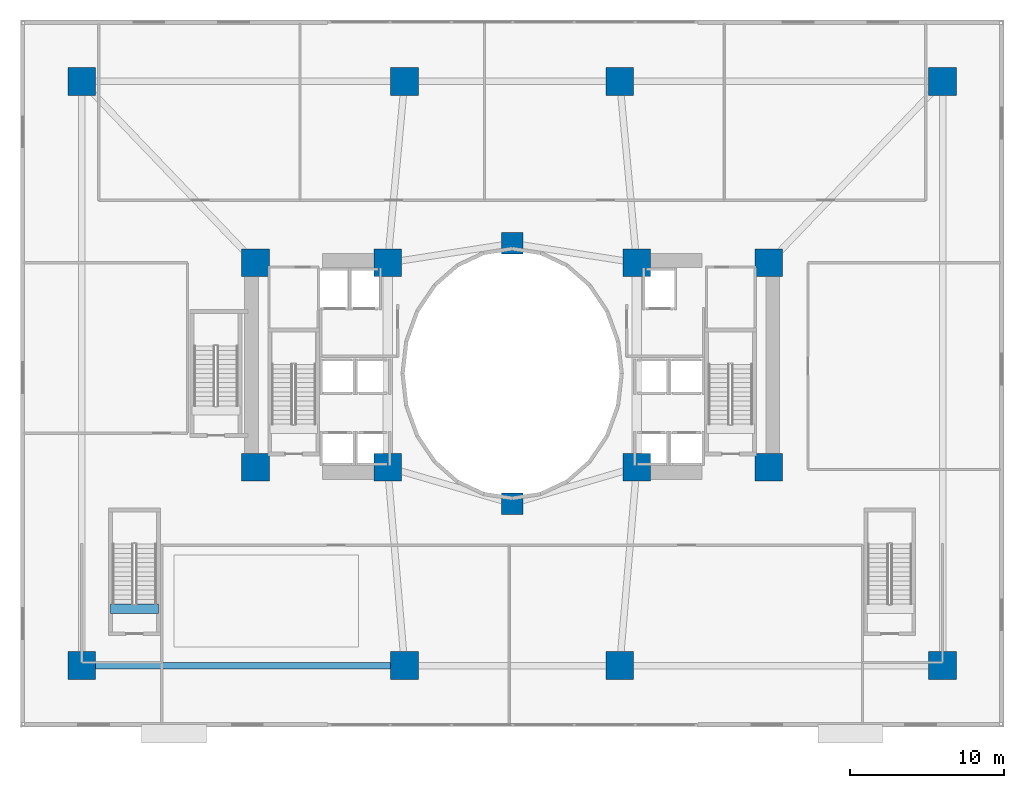
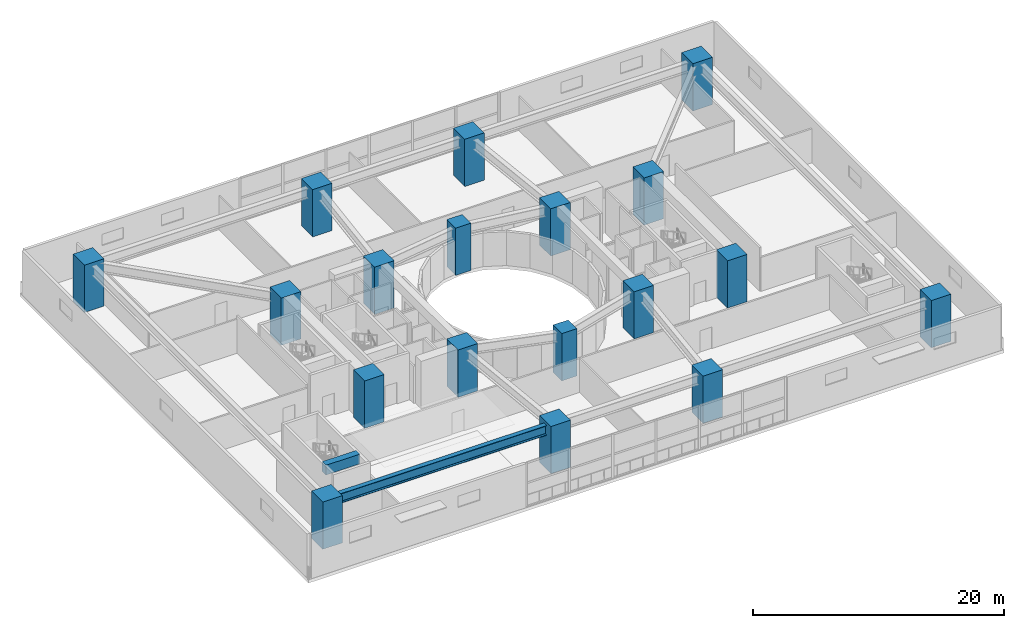
# One storey, part 1 of 20: 18 columns, 2 beams.
"""IFC4 building model written with IfcOpenShell, lengths in metres."""

from ifc_helpers import new_model, si_unit, direction, frame, origin, origin_2d, place, context, subcontext, project, spatial, rectangle, i_section, extrude, material, material_profile, profile_set, type_object, element, save


model = new_model("IFC4")

# Units and contexts
model_context = context("Model", 3, precision=1e-05, world=origin(), true_north=direction((0.0, 1.0)))
body_context = subcontext(model_context, "Body", "Model", "MODEL_VIEW")
ifc_project = project(units=[si_unit("LENGTHUNIT", "METRE"), si_unit("AREAUNIT", "SQUARE_METRE"), si_unit("VOLUMEUNIT", "CUBIC_METRE"), si_unit("PLANEANGLEUNIT", "RADIAN"), si_unit("MASSUNIT", "GRAM", prefix="KILO")], contexts=[model_context])

# Site, building, storey
site_placement = place(None, origin())
site = spatial("IfcSite", under=ifc_project, at=site_placement, CompositionType="ELEMENT")
building_placement = place(site_placement, origin())
building = spatial("IfcBuilding", under=site, at=building_placement, Name="Solvane Sanctuary Tower", CompositionType="ELEMENT")
storey_placement = place(building_placement, frame((0.0, 0.0, 18.39990234375)))
storey = spatial("IfcBuildingStorey", under=building, at=storey_placement, Name="L05", CompositionType="ELEMENT", Elevation=18.39990234375)

# Columns
ifc_material_1 = material(Name="Concrete C70/85", Category="concrete")
ifc_material_profile_1 = material_profile(ifc_material_1, rectangle(XDim=1.800048828125, YDim=1.800048828125, at=origin_2d()), Name="RC1800X1800")
ifc_profile_set_1 = profile_set([ifc_material_profile_1], Name="Concrete C70/85")
column_type_1 = type_object("IfcColumnType", Name="Column C-MEGA RC1800X1800", PredefinedType="COLUMN", material=ifc_profile_set_1)
for number, where, z_axis, x_axis, name in (
    (1, (15.300048828125, 16.89990234375, 0.0), (0.0, 0.0, 1.0), (1.0, 0.0, 0.0), "L05 Core Corner Column CW1"),
    (2, (23.89990234375, 16.89990234375, 0.0), (0.0, 0.0, 1.0), (1.0, 0.0, 0.0), "L05 Core Corner Column CW2"),
    (3, (23.89990234375, 30.199951171875, 0.0), (0.0, 0.0, 1.0), (1.0, 0.0, 0.0), "L05 Core Corner Column CW3"),
    (4, (15.300048828125, 30.199951171875, 0.0), (0.0, 0.0, 1.0), (1.0, 0.0, 0.0), "L05 Core Corner Column CW4"),
    (5, (40.10009765625, 16.89990234375, 0.0), (0.0, 0.0, 1.0), (1.0, 0.0, 0.0), "L05 Core Corner Column CE1"),
    (6, (48.699951171875, 16.89990234375, 0.0), (0.0, 0.0, 1.0), (1.0, 0.0, 0.0), "L05 Core Corner Column CE2"),
    (7, (48.699951171875, 30.199951171875, 0.0), (0.0, 0.0, 1.0), (1.0, 0.0, 0.0), "L05 Core Corner Column CE3"),
    (8, (40.10009765625, 30.199951171875, 0.0), (0.0, 0.0, 1.0), (1.0, 0.0, 0.0), "L05 Core Corner Column CE4"),
    (9, (4.0, 4.0, 0.0), (0.0, 0.0, 1.0), (1.0, 0.0, 0.0), "L05 Podium Mega-Column MC1"),
    (10, (25.0, 4.0, 0.0), (0.0, 0.0, 1.0), (1.0, 0.0, 0.0), "L05 Podium Mega-Column MC2"),
    (11, (39.0, 4.0, 0.0), (0.0, 0.0, 1.0), (1.0, 0.0, 0.0), "L05 Podium Mega-Column MC3"),
    (12, (60.0, 4.0, 0.0), (0.0, 0.0, 1.0), (1.0, 0.0, 0.0), "L05 Podium Mega-Column MC4"),
    (13, (60.0, 42.0, 0.0), (0.0, 0.0, 1.0), (1.0, 0.0, 0.0), "L05 Podium Mega-Column MC5"),
    (14, (39.0, 42.0, 0.0), (0.0, 0.0, 1.0), (1.0, 0.0, 0.0), "L05 Podium Mega-Column MC6"),
    (15, (25.0, 42.0, 0.0), (0.0, 0.0, 1.0), (1.0, 0.0, 0.0), "L05 Podium Mega-Column MC7"),
    (16, (4.0, 42.0, 0.0), (0.0, 0.0, 1.0), (1.0, 0.0, 0.0), "L05 Podium Mega-Column MC8"),
):
    element("IfcColumn", number, at=place(storey_placement, frame(where, z_axis=z_axis, x_axis=x_axis)), inside=storey, type_object=column_type_1, Name=name, PredefinedType="COLUMN", context=body_context, shape_type="SweptSolid", body=[
        extrude(rectangle(XDim=1.800048828125, YDim=1.800048828125, at=origin_2d()), origin(), (0.0, 0.0, 1.0), 4.60009765625),
    ])
ifc_material_profile_2 = material_profile(ifc_material_1, rectangle(XDim=1.39990234375, YDim=1.39990234375, at=origin_2d()), Name="RC1400X1400")
ifc_profile_set_2 = profile_set([ifc_material_profile_2], Name="Concrete C70/85")
column_type_2 = type_object("IfcColumnType", Name="Column C-POD-INT RC1400X1400", PredefinedType="COLUMN", material=ifc_profile_set_2)
for number, where, z_axis, x_axis, name in (
    (17, (32.0, 14.5400390625, 0.0), (0.0, 0.0, 1.0), (1.0, 0.0, 0.0), "L05 Podium Transfer Spine Column PCS"),
    (18, (32.0, 31.4599609375, 0.0), (0.0, 0.0, 1.0), (1.0, 0.0, 0.0), "L05 Podium Transfer Spine Column PCN"),
):
    element("IfcColumn", number, at=place(storey_placement, frame(where, z_axis=z_axis, x_axis=x_axis)), inside=storey, type_object=column_type_2, Name=name, PredefinedType="COLUMN", context=body_context, shape_type="SweptSolid", body=[
        extrude(rectangle(XDim=1.39990234375, YDim=1.39990234375, at=origin_2d()), origin(), (0.0, 0.0, 1.0), 4.60009765625),
    ])

# Beams
ifc_material_profile_3 = material_profile(ifc_material_1, rectangle(XDim=0.60009765625, YDim=0.949951171875, at=origin_2d()), Name="RC600X950")
ifc_profile_set_3 = profile_set([ifc_material_profile_3], Name="Concrete C70/85")
beam_type_1 = type_object("IfcBeamType", Name="Beam B-COUPLE RC600X950", PredefinedType="LINTEL", material=ifc_profile_set_3)
beam_1_placement = place(storey_placement, frame((5.8701171875, 7.69921875, 4.125), z_axis=(1.0, 0.0, 0.0), x_axis=(0.0, 1.0, 0.0)))
element("IfcBeam", 19, at=beam_1_placement, inside=storey, type_object=beam_type_1, Name="L05 ST-4 Stair Floor Landing Trimmer", PredefinedType="LINTEL", context=body_context, shape_type="SweptSolid", body=[
    extrude(rectangle(XDim=0.60009765625, YDim=0.949951171875, at=origin_2d()), origin(), (0.0, 0.0, 1.0), 3.119873046875),
])
ifc_material_2 = material(Name="Steel ASTM A913 Grade 65", Category="steel")
ifc_material_profile_4 = material_profile(ifc_material_2, i_section(OverallWidth=0.423095703125, OverallDepth=0.947998046875, WebThickness=0.02392578125, FlangeThickness=0.042724609375, FilletRadius=0.02392578125, at=origin_2d()), Name="W36X302")
ifc_profile_set_4 = profile_set([ifc_material_profile_4], Name="Steel ASTM A913 Grade 65")
beam_type_2 = type_object("IfcBeamType", Name="Beam B-POD-GIRD W36X302", PredefinedType="BEAM", material=ifc_profile_set_4)
beam_2_placement = place(storey_placement, frame((4.35009765625, 4.0, 3.80419921875), z_axis=(1.0, 0.0, 0.0), x_axis=(0.0, 1.0, 0.0)))
element("IfcBeam", 20, at=beam_2_placement, inside=storey, type_object=beam_type_2, Name="L05 Podium Primary Girder PG1", PredefinedType="BEAM", context=body_context, shape_type="SweptSolid", body=[
    extrude(i_section(OverallWidth=0.423095703125, OverallDepth=0.947998046875, WebThickness=0.02392578125, FlangeThickness=0.042724609375, FilletRadius=0.02392578125, at=origin_2d()), origin(), (0.0, 0.0, 1.0), 20.2998046875),
])

save(model, "model.ifc")
